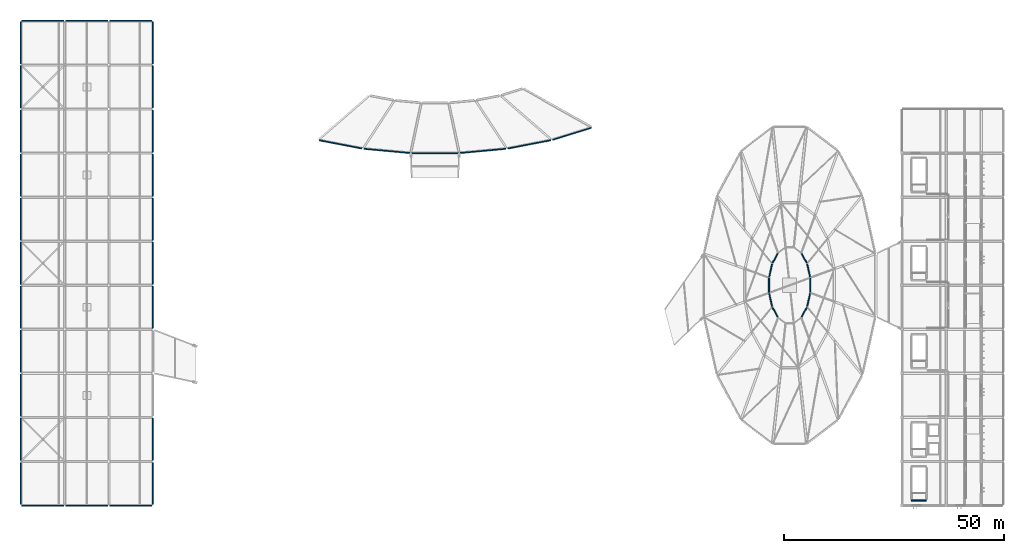
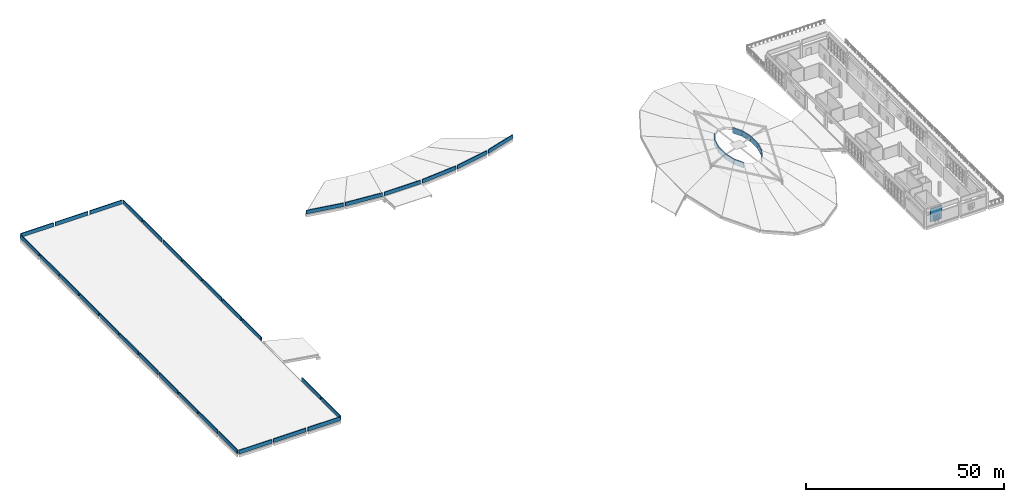
# One storey, part 30 of 39: 43 walls.
"""IFC4 building model written with IfcOpenShell, lengths in metres."""

from ifc_helpers import new_model, si_unit, direction, frame, frame_2d, origin, place, context, subcontext, project, spatial, rectangle, extrude, material, layer, layer_set, type_object, element, save


model = new_model("IFC4")

# Units and contexts
model_context = context("Model", 3, precision=1e-05, world=origin(), true_north=direction((0.0, 1.0)))
body_context = subcontext(model_context, "Body", "Model", "MODEL_VIEW")
ifc_project = project(units=[si_unit("LENGTHUNIT", "METRE"), si_unit("AREAUNIT", "SQUARE_METRE"), si_unit("VOLUMEUNIT", "CUBIC_METRE"), si_unit("PLANEANGLEUNIT", "RADIAN"), si_unit("MASSUNIT", "GRAM", prefix="KILO")], contexts=[model_context])

# Site, building, storey
site_placement = place(None, origin())
site = spatial("IfcSite", under=ifc_project, at=site_placement, CompositionType="ELEMENT")
building_placement = place(site_placement, origin())
building = spatial("IfcBuilding", under=site, at=building_placement, Name="Corvandel Quay Wholesale Market", CompositionType="ELEMENT")
storey_placement = place(building_placement, frame((0.0, 0.0, 15.0)))
storey = spatial("IfcBuildingStorey", under=building, at=storey_placement, Name="L03", CompositionType="ELEMENT", Elevation=15.0)

# Walls
ifc_material_1 = material(Name="Terracotta precast concrete C45/55", Category="masonry")
ifc_layer_1 = layer(ifc_material_1, 0.260009765625)
ifc_layer_set_1 = layer_set([ifc_layer_1], Name="Terracotta precast concrete C45/55")
wall_type_1 = type_object("IfcWallType", Name="Pavilion Pilaster Infill Wall EW08 260", PredefinedType="SOLIDWALL", material=ifc_layer_set_1)
wall_1_placement = place(storey_placement, frame((199.179931640625, 61.718994140625, 2.10009765625), z_axis=(0.0, 0.0, 1.0), x_axis=(-0.218789056451, 0.975772180776, 0.0)))
element("IfcWall", 1, at=wall_1_placement, inside=storey, type_object=wall_type_1, Name="Exterior Wall EW-0160", PredefinedType="SOLIDWALL", context=body_context, shape_type="SweptSolid", body=[
    extrude(rectangle(XDim=3.25390625, YDim=0.260009765625, at=frame_2d((1.626953125, 0.0))), origin(), (0.0, 0.0, 1.0), 1.699951171875),
])
for number, where, z_axis, x_axis, name in (
    (2, (198.468017578125, 64.89404296875, 2.10009765625), (0.0, 0.0, 1.0), (-0.476394086366, 0.879231866162, 0.0), "Exterior Wall EW-0163"),
    (3, (191.84912109375, 67.324951171875, 2.10009765625), (0.0, 0.0, 1.0), (-0.476394086366, -0.879231866162, 0.0), "Exterior Wall EW-0173"),
):
    element("IfcWall", number, at=place(storey_placement, frame(where, z_axis=z_axis, x_axis=x_axis)), inside=storey, type_object=wall_type_1, Name=name, PredefinedType="SOLIDWALL", context=body_context, shape_type="SweptSolid", body=[
        extrude(rectangle(XDim=2.764892578125, YDim=0.260009765625, at=frame_2d((1.38232421875, 0.0))), origin(), (0.0, 0.0, 1.0), 1.699951171875),
    ])
wall_2_placement = place(storey_placement, frame((190.531982421875, 64.89404296875, 2.10009765625), z_axis=(0.0, 0.0, 1.0), x_axis=(-0.218789056451, -0.975772180776, 0.0)))
element("IfcWall", 4, at=wall_2_placement, inside=storey, type_object=wall_type_1, Name="Exterior Wall EW-0176", PredefinedType="SOLIDWALL", context=body_context, shape_type="SweptSolid", body=[
    extrude(rectangle(XDim=3.25390625, YDim=0.260009765625, at=frame_2d((1.626953125, 0.0))), origin(), (0.0, 0.0, 1.0), 1.699951171875),
])
wall_3_placement = place(storey_placement, frame((189.820068359375, 61.718994140625, 2.10009765625), z_axis=(0.0, 0.0, 1.0), x_axis=(0.0, -1.0, 0.0)))
element("IfcWall", 5, at=wall_3_placement, inside=storey, type_object=wall_type_1, Name="Exterior Wall EW-0178", PredefinedType="SOLIDWALL", context=body_context, shape_type="SweptSolid", body=[
    extrude(rectangle(XDim=3.43798828125, YDim=0.260009765625, at=frame_2d((1.718994140625, 0.0))), origin(), (0.0, 0.0, 1.0), 1.699951171875),
])
wall_4_placement = place(storey_placement, frame((189.820068359375, 58.281005859375, 2.10009765625), z_axis=(0.0, 0.0, 1.0), x_axis=(0.218789056451, -0.975772180776, 0.0)))
element("IfcWall", 6, at=wall_4_placement, inside=storey, type_object=wall_type_1, Name="Exterior Wall EW-0179", PredefinedType="SOLIDWALL", context=body_context, shape_type="SweptSolid", body=[
    extrude(rectangle(XDim=3.25390625, YDim=0.260009765625, at=frame_2d((1.626953125, 0.0))), origin(), (0.0, 0.0, 1.0), 1.699951171875),
])
for number, where, z_axis, x_axis, name in (
    (7, (190.531982421875, 55.10595703125, 2.10009765625), (0.0, 0.0, 1.0), (0.476394086366, -0.879231866162, 0.0), "Exterior Wall EW-0182"),
    (8, (197.15087890625, 52.675048828125, 2.10009765625), (0.0, 0.0, 1.0), (0.476394086366, 0.879231866162, 0.0), "Exterior Wall EW-0192"),
):
    element("IfcWall", number, at=place(storey_placement, frame(where, z_axis=z_axis, x_axis=x_axis)), inside=storey, type_object=wall_type_1, Name=name, PredefinedType="SOLIDWALL", context=body_context, shape_type="SweptSolid", body=[
        extrude(rectangle(XDim=2.764892578125, YDim=0.260009765625, at=frame_2d((1.38232421875, 0.0))), origin(), (0.0, 0.0, 1.0), 1.699951171875),
    ])
wall_5_placement = place(storey_placement, frame((198.468017578125, 55.10595703125, 2.10009765625), z_axis=(0.0, 0.0, 1.0), x_axis=(0.218789056451, 0.975772180776, 0.0)))
element("IfcWall", 9, at=wall_5_placement, inside=storey, type_object=wall_type_1, Name="Exterior Wall EW-0195", PredefinedType="SOLIDWALL", context=body_context, shape_type="SweptSolid", body=[
    extrude(rectangle(XDim=3.25390625, YDim=0.260009765625, at=frame_2d((1.626953125, 0.0))), origin(), (0.0, 0.0, 1.0), 1.699951171875),
])
wall_6_placement = place(storey_placement, frame((199.179931640625, 58.281005859375, 2.10009765625), z_axis=(0.0, 0.0, 1.0), x_axis=(0.0, 1.0, 0.0)))
element("IfcWall", 10, at=wall_6_placement, inside=storey, type_object=wall_type_1, Name="Exterior Wall EW-0197", PredefinedType="SOLIDWALL", context=body_context, shape_type="SweptSolid", body=[
    extrude(rectangle(XDim=3.43798828125, YDim=0.260009765625, at=frame_2d((1.718994140625, 0.0))), origin(), (0.0, 0.0, 1.0), 1.699951171875),
])
ifc_material_2 = material(Name="White precast concrete C45/55", Category="concrete")
ifc_layer_2 = layer(ifc_material_2, 0.239990234375)
ifc_layer_set_2 = layer_set([ifc_layer_2], Name="White precast concrete C45/55")
wall_type_2 = type_object("IfcWallType", Name="Roof Precast Parapet Wall PP01 240", PredefinedType="PARAPET", material=ifc_layer_set_2)
wall_7_placement = place(storey_placement, frame((87.709716796875, 92.913818359375, 0.0), z_axis=(0.0, 0.0, 1.0), x_axis=(0.981997121081, -0.188895881873, 0.0)))
element("IfcWall", 11, at=wall_7_placement, inside=storey, type_object=wall_type_2, Name="Exterior Wall EW-0135", PredefinedType="PARAPET", context=body_context, shape_type="SweptSolid", body=[
    extrude(rectangle(XDim=9.897705078125, YDim=0.239990234375, at=frame_2d((4.94873046875, 0.0))), origin(), (0.0, 0.0, 1.0), 1.10009765625),
])
wall_8_placement = place(storey_placement, frame((97.904052734375, 90.976806640625, 0.0), z_axis=(0.0, 0.0, 1.0), x_axis=(0.995766414187, -0.091919793174, 0.0)))
element("IfcWall", 12, at=wall_8_placement, inside=storey, type_object=wall_type_2, Name="Exterior Wall EW-0137", PredefinedType="PARAPET", context=body_context, shape_type="SweptSolid", body=[
    extrude(rectangle(XDim=10.385009765625, YDim=0.239990234375, at=frame_2d((5.1923828125, 0.0))), origin(), (0.0, 0.0, 1.0), 1.10009765625),
])
wall_9_placement = place(storey_placement, frame((108.72412109375, 90.0, 0.0), z_axis=(0.0, 0.0, 1.0), x_axis=(1.0, 0.0, 0.0)))
element("IfcWall", 13, at=wall_9_placement, inside=storey, type_object=wall_type_2, Name="Exterior Wall EW-0139", PredefinedType="PARAPET", context=body_context, shape_type="SweptSolid", body=[
    extrude(rectangle(XDim=10.5517578125, YDim=0.239990234375, at=frame_2d((5.27587890625, 0.0))), origin(), (0.0, 0.0, 1.0), 1.10009765625),
])
wall_10_placement = place(storey_placement, frame((119.7548828125, 90.022216796875, 0.0), z_axis=(0.0, 0.0, 1.0), x_axis=(0.995766414187, 0.091919793174, 0.0)))
element("IfcWall", 14, at=wall_10_placement, inside=storey, type_object=wall_type_2, Name="Exterior Wall EW-0141", PredefinedType="PARAPET", context=body_context, shape_type="SweptSolid", body=[
    extrude(rectangle(XDim=10.385009765625, YDim=0.239990234375, at=frame_2d((5.1923828125, 0.0))), origin(), (0.0, 0.0, 1.0), 1.10009765625),
])
wall_11_placement = place(storey_placement, frame((130.57080078125, 91.044189453125, 0.0), z_axis=(0.0, 0.0, 1.0), x_axis=(0.981997121081, 0.188895881873, 0.0)))
element("IfcWall", 15, at=wall_11_placement, inside=storey, type_object=wall_type_2, Name="Exterior Wall EW-0143", PredefinedType="PARAPET", context=body_context, shape_type="SweptSolid", body=[
    extrude(rectangle(XDim=9.897705078125, YDim=0.239990234375, at=frame_2d((4.94873046875, 0.0))), origin(), (0.0, 0.0, 1.0), 1.10009765625),
])
wall_12_placement = place(storey_placement, frame((140.755126953125, 93.030029296875, 0.0), z_axis=(0.0, 0.0, 1.0), x_axis=(0.955105922322, 0.296264539128, 0.0)))
element("IfcWall", 16, at=wall_12_placement, inside=storey, type_object=wall_type_2, Name="Exterior Wall EW-0145", PredefinedType="PARAPET", context=body_context, shape_type="SweptSolid", body=[
    extrude(rectangle(XDim=9.123291015625, YDim=0.239990234375, at=frame_2d((4.5615234375, 0.0))), origin(), (0.0, 0.0, 1.0), 1.10009765625),
])
for number, where, z_axis, x_axis, name in (
    (17, (20.0, 10.239990234375, 0.0), (0.0, 0.0, 1.0), (0.0, 1.0, 0.0), "Exterior Wall EW-0228"),
    (18, (50.0, 10.239990234375, 0.0), (0.0, 0.0, 1.0), (0.0, 1.0, 0.0), "Exterior Wall EW-0232"),
    (19, (20.0, 20.239990234375, 0.0), (0.0, 0.0, 1.0), (0.0, 1.0, 0.0), "Exterior Wall EW-0235"),
    (20, (50.0, 20.239990234375, 0.0), (0.0, 0.0, 1.0), (0.0, 1.0, 0.0), "Exterior Wall EW-0239"),
    (21, (20.0, 30.239990234375, 0.0), (0.0, 0.0, 1.0), (0.0, 1.0, 0.0), "Exterior Wall EW-0242"),
    (22, (20.0, 40.239990234375, 0.0), (0.0, 0.0, 1.0), (0.0, 1.0, 0.0), "Exterior Wall EW-0246"),
    (23, (20.0, 50.239990234375, 0.0), (0.0, 0.0, 1.0), (0.0, 1.0, 0.0), "Exterior Wall EW-0250"),
    (24, (50.0, 50.239990234375, 0.0), (0.0, 0.0, 1.0), (0.0, 1.0, 0.0), "Exterior Wall EW-0254"),
    (25, (20.0, 60.239990234375, 0.0), (0.0, 0.0, 1.0), (0.0, 1.0, 0.0), "Exterior Wall EW-0257"),
    (26, (50.0, 60.239990234375, 0.0), (0.0, 0.0, 1.0), (0.0, 1.0, 0.0), "Exterior Wall EW-0261"),
    (27, (20.0, 70.239990234375, 0.0), (0.0, 0.0, 1.0), (0.0, 1.0, 0.0), "Exterior Wall EW-0264"),
    (28, (50.0, 70.239990234375, 0.0), (0.0, 0.0, 1.0), (0.0, 1.0, 0.0), "Exterior Wall EW-0268"),
    (29, (20.0, 80.239990234375, 0.0), (0.0, 0.0, 1.0), (0.0, 1.0, 0.0), "Exterior Wall EW-0271"),
    (30, (50.0, 80.239990234375, 0.0), (0.0, 0.0, 1.0), (0.0, 1.0, 0.0), "Exterior Wall EW-0275"),
    (31, (20.0, 90.239990234375, 0.0), (0.0, 0.0, 1.0), (0.0, 1.0, 0.0), "Exterior Wall EW-0278"),
    (32, (50.0, 90.239990234375, 0.0), (0.0, 0.0, 1.0), (0.0, 1.0, 0.0), "Exterior Wall EW-0282"),
    (33, (20.0, 100.239990234375, 0.0), (0.0, 0.0, 1.0), (0.0, 1.0, 0.0), "Exterior Wall EW-0285"),
    (34, (50.0, 100.239990234375, 0.0), (0.0, 0.0, 1.0), (0.0, 1.0, 0.0), "Exterior Wall EW-0289"),
    (35, (20.0, 110.239990234375, 0.0), (0.0, 0.0, 1.0), (0.0, 1.0, 0.0), "Exterior Wall EW-0293"),
    (36, (50.0, 110.239990234375, 0.0), (0.0, 0.0, 1.0), (0.0, 1.0, 0.0), "Exterior Wall EW-0297"),
    (37, (20.239990234375, 10.0, 0.0), (0.0, 0.0, 1.0), (1.0, 0.0, 0.0), "Exterior Wall EW-0311"),
    (38, (20.239990234375, 120.0, 0.0), (0.0, 0.0, 1.0), (1.0, 0.0, 0.0), "Exterior Wall EW-0313"),
    (39, (30.239990234375, 10.0, 0.0), (0.0, 0.0, 1.0), (1.0, 0.0, 0.0), "Exterior Wall EW-0319"),
    (40, (30.239990234375, 120.0, 0.0), (0.0, 0.0, 1.0), (1.0, 0.0, 0.0), "Exterior Wall EW-0321"),
    (41, (40.239990234375, 10.0, 0.0), (0.0, 0.0, 1.0), (1.0, 0.0, 0.0), "Exterior Wall EW-0327"),
    (42, (40.239990234375, 120.0, 0.0), (0.0, 0.0, 1.0), (1.0, 0.0, 0.0), "Exterior Wall EW-0329"),
):
    element("IfcWall", number, at=place(storey_placement, frame(where, z_axis=z_axis, x_axis=x_axis)), inside=storey, type_object=wall_type_2, Name=name, PredefinedType="PARAPET", context=body_context, shape_type="SweptSolid", body=[
        extrude(rectangle(XDim=9.52001953125, YDim=0.239990234375, at=frame_2d((4.760009765625, 0.0))), origin(), (0.0, 0.0, 1.0), 1.14990234375),
    ])
ifc_material_3 = material(Name="Concrete C40/50", Category="concrete")
ifc_layer_3 = layer(ifc_material_3, 0.300048828125)
ifc_layer_set_3 = layer_set([ifc_layer_3], Name="Concrete C40/50")
wall_type_3 = type_object("IfcWallType", Name="Stair Shaft Shear Wall SW02 300", PredefinedType="SHEAR", material=ifc_layer_set_3)
wall_13_placement = place(storey_placement, frame((222.14990234375, 11.14990234375, 0.0), z_axis=(0.0, 0.0, 1.0), x_axis=(1.0, 0.0, 0.0)))
element("IfcWall", 43, at=wall_13_placement, inside=storey, type_object=wall_type_3, Name="Shear Wall IW-0221", PredefinedType="SHEAR", context=body_context, shape_type="SweptSolid", body=[
    extrude(rectangle(XDim=3.400146484375, YDim=0.300048828125, at=frame_2d((1.7001953125, 0.0))), origin(), (0.0, 0.0, 1.0), 4.0),
])

save(model, "model.ifc")
